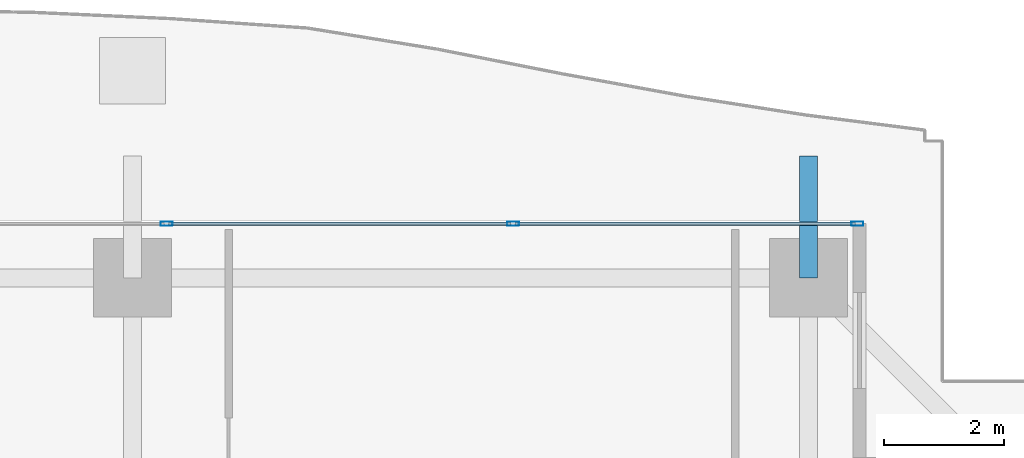
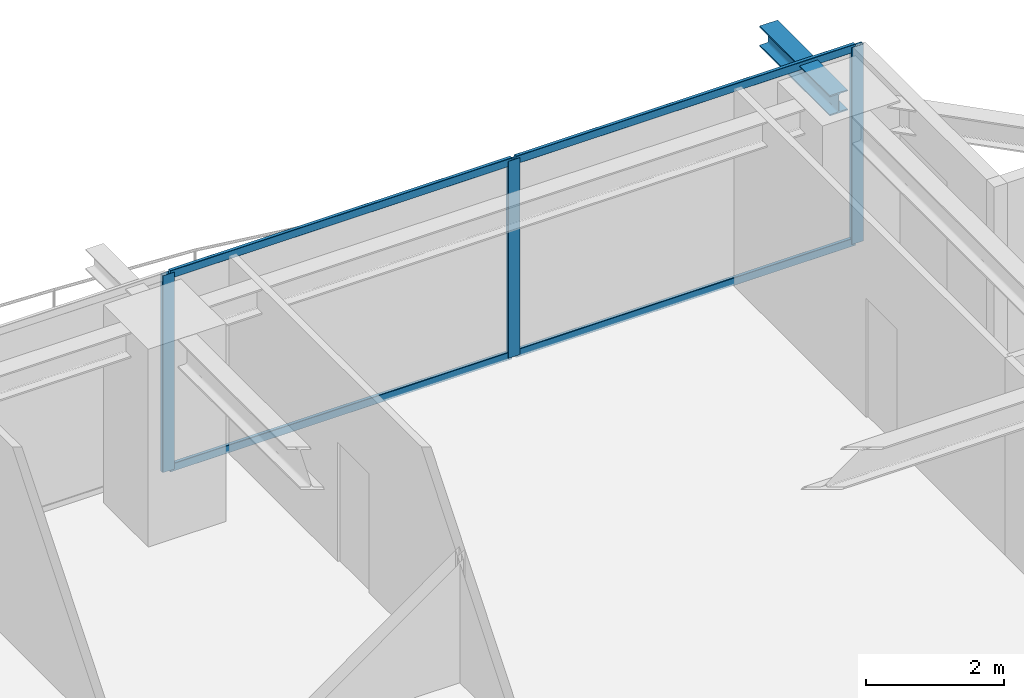
# One storey, part 24 of 37: 7 members, 1 beam, 1 element without a shape of its own.
"""IFC4 building model written with IfcOpenShell, lengths in metres."""

from ifc_helpers import new_model, si_unit, direction, frame, origin, origin_2d, place, context, subcontext, project, spatial, hollow_rectangle, i_section, extrude, source, transform, mapped, material, layer, layer_set, material_profile, profile_set, type_object, element, aggregate, save


model = new_model("IFC4")

# Units and contexts
model_context = context("Model", 3, precision=1e-05, world=origin(), true_north=direction((0.0, 1.0)))
body_context = subcontext(model_context, "Body", "Model", "MODEL_VIEW")
ifc_project = project(units=[si_unit("LENGTHUNIT", "METRE"), si_unit("AREAUNIT", "SQUARE_METRE"), si_unit("VOLUMEUNIT", "CUBIC_METRE"), si_unit("PLANEANGLEUNIT", "RADIAN"), si_unit("MASSUNIT", "GRAM", prefix="KILO")], contexts=[model_context])

# Site, building, storey
site_placement = place(None, origin())
site = spatial("IfcSite", under=ifc_project, at=site_placement, CompositionType="ELEMENT")
building_placement = place(site_placement, origin())
building = spatial("IfcBuilding", under=site, at=building_placement, Name="Serunith Strait Residences", CompositionType="ELEMENT")
storey_placement = place(building_placement, frame((0.0, 0.0, 153.89990234375)))
storey = spatial("IfcBuildingStorey", under=building, at=storey_placement, Name="L38", CompositionType="ELEMENT", Elevation=153.89990234375)

# Beam
ifc_material_1 = material(Name="Steel S355J2", Category="steel")
ifc_material_profile_1 = material_profile(ifc_material_1, i_section(OverallWidth=0.300048828125, OverallDepth=0.360107421875, WebThickness=0.012451171875, FlangeThickness=0.0224609375, FilletRadius=0.027099609375, at=origin_2d()), Name="HEB 360")
ifc_profile_set_1 = profile_set([ifc_material_profile_1], Name="Steel S355J2")
beam_type = type_object("IfcBeamType", Name="BM-HEB360", PredefinedType="BEAM", material=ifc_profile_set_1)
shared_shape_1 = source(origin(), body_context, "Body", "SweptSolid", [
    extrude(i_section(OverallWidth=0.300048828125, OverallDepth=0.360107421875, WebThickness=0.012451171875, FlangeThickness=0.0224609375, FilletRadius=0.027099609375, at=origin_2d()), origin(), (0.0, 0.0, 1.0), 2.02978515625),
])
beam_placement = place(storey_placement, frame((48.14990234375, 48.10009765625, 3.277099609375), z_axis=(0.0, 1.0, 0.0), x_axis=(-1.0, 0.0, 0.0)))
element("IfcBeam", 1, at=beam_placement, inside=storey, type_object=beam_type, Name="L39 Cantilevered Balcony Rib TC-N4", PredefinedType="BEAM", context=body_context, shape_type="MappedRepresentation", body=[
    mapped(shared_shape_1, transform((0.0, 0.0, 0.0), scale=1.0)),
])

# Curtain wall, members
ifc_material_2 = material(Name="Pale-Champagne Anodised Aluminium", Category="aluminium")
ifc_layer = layer(ifc_material_2, 0.199951171875, Name="Pale-Champagne Anodised Aluminium")
ifc_layer_set = layer_set([ifc_layer], Name="Pale-Champagne Anodised Aluminium")
curtain_wall_type = type_object("IfcCurtainWallType", Name="CW-SYS2", PredefinedType="NOTDEFINED", material=ifc_layer_set)
curtain_wall_placement = place(storey_placement, origin())
curtain_wall = element("IfcCurtainWall", 2, at=curtain_wall_placement, inside=storey, type_object=curtain_wall_type, Name="L38 N Unitised Fritted Curtain Wall", PredefinedType="NOTDEFINED")
ifc_material_profile_2 = material_profile(ifc_material_2, hollow_rectangle(XDim=0.070068359375, YDim=0.199951171875, WallThickness=0.00390625, InnerFilletRadius=0.006103515625, OuterFilletRadius=0.010009765625, at=origin_2d()), Name="ALU 200x70x4")
ifc_profile_set_2 = profile_set([ifc_material_profile_2], Name="Pale-Champagne Anodised Aluminium")
member_type_1 = type_object("IfcMemberType", Name="CW-SYS2-MULL", PredefinedType="MULLION", material=ifc_profile_set_2)
shared_shape_2 = source(origin(), body_context, "Body", "SweptSolid", [
    extrude(hollow_rectangle(XDim=0.070068359375, YDim=0.199951171875, WallThickness=0.00390625, InnerFilletRadius=0.006103515625, OuterFilletRadius=0.010009765625, at=origin_2d()), origin(), (0.0, 0.0, 1.0), 3.47509765625),
])
member_1_placement = place(storey_placement, frame((48.965087890625, 49.0, 0.0), z_axis=(0.0, 0.0, 1.0), x_axis=(0.0, -1.0, 0.0)))
member_1 = element("IfcMember", 3, at=member_1_placement, type_object=member_type_1, Name="CW-2 mullion 1", PredefinedType="MULLION", context=body_context, shape_type="MappedRepresentation", body=[
    mapped(shared_shape_2, transform((0.0, 0.0, 0.0), scale=1.0)),
])
member_2_placement = place(storey_placement, frame((43.2333984375, 49.0, 0.0), z_axis=(0.0, 0.0, 1.0), x_axis=(0.0, -1.0, 0.0)))
member_2 = element("IfcMember", 4, at=member_2_placement, type_object=member_type_1, Name="CW-2 mullion 2", PredefinedType="MULLION", context=body_context, shape_type="MappedRepresentation", body=[
    mapped(shared_shape_2, transform((0.0, 0.0, 0.0), scale=1.0)),
])
member_3_placement = place(storey_placement, frame((37.466552734375, 49.0, 0.0), z_axis=(0.0, 0.0, 1.0), x_axis=(0.0, -1.0, 0.0)))
member_3 = element("IfcMember", 5, at=member_3_placement, type_object=member_type_1, Name="CW-2 mullion 3", PredefinedType="MULLION", context=body_context, shape_type="MappedRepresentation", body=[
    mapped(shared_shape_2, transform((0.0, 0.0, 0.0), scale=1.0)),
])
ifc_material_profile_3 = material_profile(ifc_material_2, hollow_rectangle(XDim=0.06005859375, YDim=0.139892578125, WallThickness=0.00341796875, InnerFilletRadius=0.00537109375, OuterFilletRadius=0.0087890625, at=origin_2d()), Name="ALU 140x60x3.5")
ifc_profile_set_3 = profile_set([ifc_material_profile_3], Name="Pale-Champagne Anodised Aluminium")
member_type_2 = type_object("IfcMemberType", Name="CW-SYS2-TRAN", PredefinedType="USERDEFINED", material=ifc_profile_set_3)
shared_shape_3 = source(origin(), body_context, "Body", "SweptSolid", [
    extrude(hollow_rectangle(XDim=0.06005859375, YDim=0.139892578125, WallThickness=0.00341796875, InnerFilletRadius=0.00537109375, OuterFilletRadius=0.0087890625, at=origin_2d()), origin(), (0.0, 0.0, 1.0), 5.66162109375),
])
member_4_placement = place(storey_placement, frame((48.929931640625, 49.0, 0.030029296875), z_axis=(-1.0, 0.0, 0.0), x_axis=(0.0, -1.0, 0.0)))
member_4 = element("IfcMember", 6, at=member_4_placement, type_object=member_type_2, Name="CW-2 transom 1.1", ObjectType="TRANSOM", PredefinedType="USERDEFINED", context=body_context, shape_type="MappedRepresentation", body=[
    mapped(shared_shape_3, transform((0.0, 0.0, 0.0), scale=1.0)),
])
member_5_placement = place(storey_placement, frame((48.929931640625, 49.0, 3.445068359375), z_axis=(-1.0, 0.0, 0.0), x_axis=(0.0, -1.0, 0.0)))
member_5 = element("IfcMember", 7, at=member_5_placement, type_object=member_type_2, Name="CW-2 transom 1.2", ObjectType="TRANSOM", PredefinedType="USERDEFINED", context=body_context, shape_type="MappedRepresentation", body=[
    mapped(shared_shape_3, transform((0.0, 0.0, 0.0), scale=1.0)),
])
shared_shape_4 = source(origin(), body_context, "Body", "SweptSolid", [
    extrude(hollow_rectangle(XDim=0.06005859375, YDim=0.139892578125, WallThickness=0.00341796875, InnerFilletRadius=0.00537109375, OuterFilletRadius=0.0087890625, at=origin_2d()), origin(), (0.0, 0.0, 1.0), 5.696533203125),
])
member_6_placement = place(storey_placement, frame((43.1982421875, 49.0, 0.030029296875), z_axis=(-1.0, 0.0, 0.0), x_axis=(0.0, -1.0, 0.0)))
member_6 = element("IfcMember", 8, at=member_6_placement, type_object=member_type_2, Name="CW-2 transom 2.1", ObjectType="TRANSOM", PredefinedType="USERDEFINED", context=body_context, shape_type="MappedRepresentation", body=[
    mapped(shared_shape_4, transform((0.0, 0.0, 0.0), scale=1.0)),
])
member_7_placement = place(storey_placement, frame((43.1982421875, 49.0, 3.445068359375), z_axis=(-1.0, 0.0, 0.0), x_axis=(0.0, -1.0, 0.0)))
member_7 = element("IfcMember", 9, at=member_7_placement, type_object=member_type_2, Name="CW-2 transom 2.2", ObjectType="TRANSOM", PredefinedType="USERDEFINED", context=body_context, shape_type="MappedRepresentation", body=[
    mapped(shared_shape_4, transform((0.0, 0.0, 0.0), scale=1.0)),
])
aggregate(curtain_wall, [member_1, member_2, member_3, member_4, member_5, member_6, member_7])

save(model, "model.ifc")
